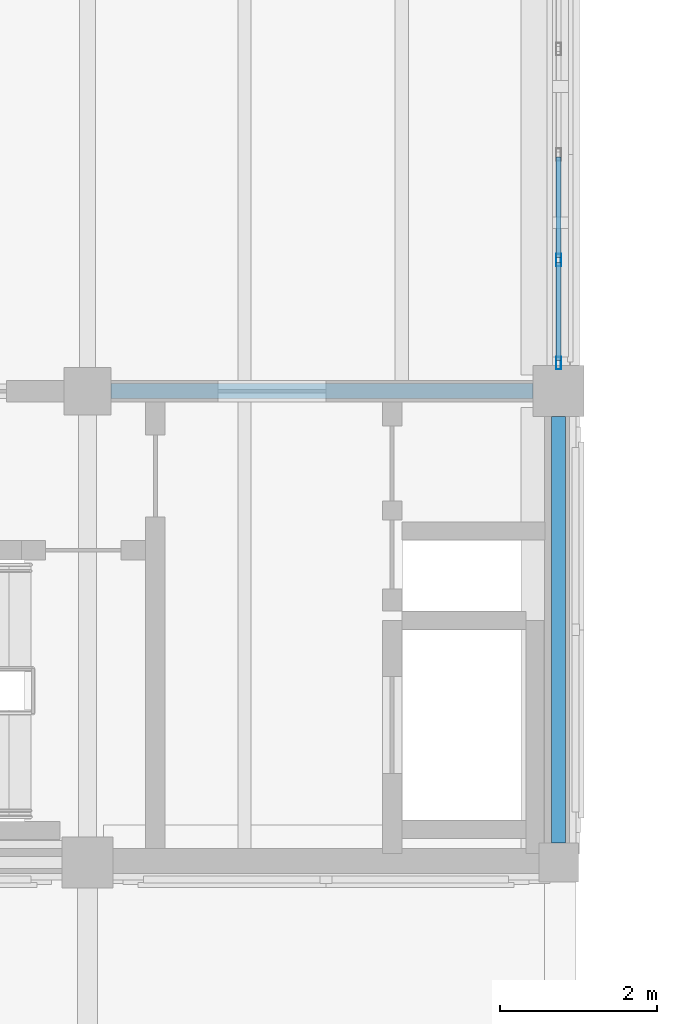
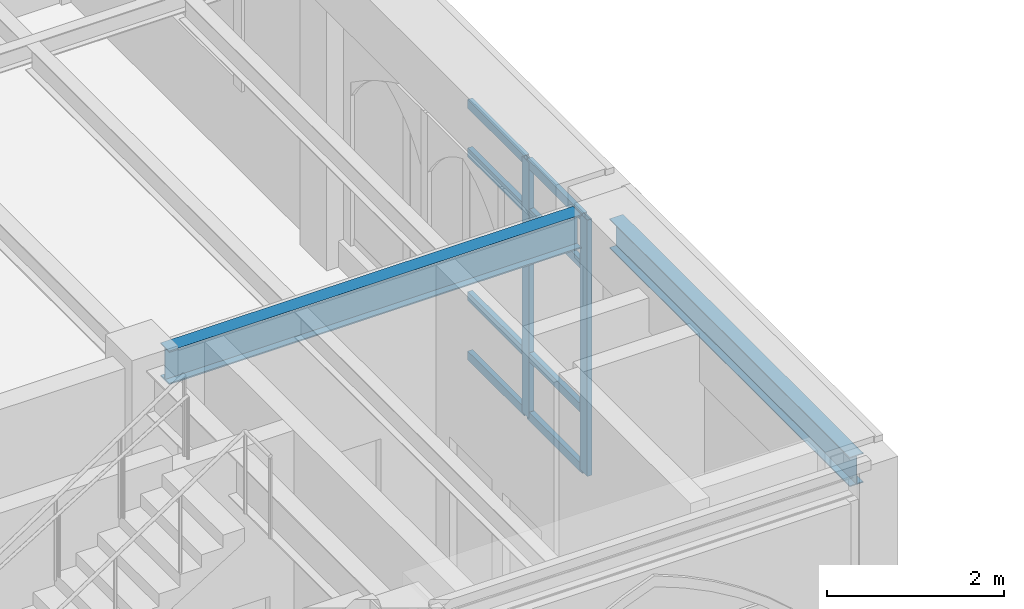
# One storey, part 8 of 143: 10 members, 2 beams, 1 element without a shape of its own.
"""IFC4 building model written with IfcOpenShell, lengths in metres."""

import ifcopenshell
import ifcopenshell.guid

model = None  # the IFC model being written
_history = None  # IfcOwnerHistory: only IFC2X3 demands one
_inside = {}  # id of a spatial element -> (the spatial element, [elements in it])
_under = {}  # id of a project, library or spatial element -> (it, [spatial elements below it])
_declared = {}  # id of a project -> (the project, [libraries it declares])
_typed = {}  # id of a type object -> (the type object, [elements of that type])
_made_of = {}  # id of a material, layer set ... -> (it, [elements and type objects made of it])


def new_model(schema):
    """Start an empty IFC model of exactly this schema.

    Asked for "IFC4X3", IfcOpenShell would pick the latest addendum, in which some entities
    have other attributes; the version numbers below select the first issue.
    IFC2X3 requires an IfcOwnerHistory on every rooted entity: one is made here for all.
    """
    global model, _history
    if schema == "IFC4X3":
        model = ifcopenshell.file(schema_version=(4, 3, 0, 0))
    else:
        model = ifcopenshell.file(schema=schema)
    _inside.clear()
    _under.clear()
    _declared.clear()
    _typed.clear()
    _made_of.clear()
    _history = None
    if model.schema == "IFC2X3":
        org = make("IfcOrganization", Name="unknown")
        user = make(
            "IfcPersonAndOrganization",
            ThePerson=make("IfcPerson", FamilyName="unknown"),
            TheOrganization=org,
        )
        app = make(
            "IfcApplication",
            ApplicationDeveloper=org,
            Version="unknown",
            ApplicationFullName="unknown",
            ApplicationIdentifier="unknown",
        )
        _history = make(
            "IfcOwnerHistory",
            OwningUser=user,
            OwningApplication=app,
            ChangeAction="ADDED",
            CreationDate=0,
        )
    return model


def make(cls, **values):
    """One entity of the class cls with the attributes given. An attribute that is None is left unset."""
    return model.create_entity(
        cls, **{name: value for name, value in values.items() if value is not None}
    )


def rooted(cls, **values):
    """An entity with a GlobalId (a new one), such as an element, a storey or a relation."""
    return make(cls, GlobalId=ifcopenshell.guid.new(), OwnerHistory=_history, **values)


def si_unit(unit_type, name, prefix=None):
    """IfcSIUnit, for example si_unit("LENGTHUNIT", "METRE", prefix="MILLI")."""
    return make("IfcSIUnit", UnitType=unit_type, Prefix=prefix, Name=name)


def assignment(units):
    """IfcUnitAssignment: the units of a project."""
    return None if units is None else make("IfcUnitAssignment", Units=units)


def point(xyz):
    """IfcCartesianPoint."""
    return None if xyz is None else make("IfcCartesianPoint", Coordinates=xyz)


def direction(xyz):
    """IfcDirection."""
    return None if xyz is None else make("IfcDirection", DirectionRatios=xyz)


def frame(location, z_axis=None, x_axis=None):
    """IfcAxis2Placement3D, a coordinate frame: its origin and axes. An axis left out is left unset."""
    return make(
        "IfcAxis2Placement3D",
        Location=point(location),
        Axis=direction(z_axis),
        RefDirection=direction(x_axis),
    )


def frame_2d(location, x_axis=None):
    """IfcAxis2Placement2D, a coordinate frame in the plane: its origin and x axis."""
    return make(
        "IfcAxis2Placement2D", Location=point(location), RefDirection=direction(x_axis)
    )


def origin():
    """The frame at (0, 0, 0) with its axes left unset."""
    return frame((0.0, 0.0, 0.0))


def origin_2d():
    """The frame at (0, 0) in the plane with its x axis left unset."""
    return frame_2d((0.0, 0.0))


def place(relative_to, where):
    """IfcLocalPlacement: puts the frame where relative to a parent placement (None: the world)."""
    return make(
        "IfcLocalPlacement", PlacementRelTo=relative_to, RelativePlacement=where
    )


def context(
    kind, dimensions, precision=None, world=None, true_north=None, identifier=None
):
    """IfcGeometricRepresentationContext, for example the 3D "Model" context."""
    return make(
        "IfcGeometricRepresentationContext",
        ContextIdentifier=identifier,
        ContextType=kind,
        CoordinateSpaceDimension=dimensions,
        Precision=precision,
        WorldCoordinateSystem=world,
        TrueNorth=true_north,
    )


def subcontext(parent, identifier, kind, view, scale=None):
    """IfcGeometricRepresentationSubContext, for example "Body" below "Model"."""
    return make(
        "IfcGeometricRepresentationSubContext",
        ContextIdentifier=identifier,
        ContextType=kind,
        ParentContext=parent,
        TargetScale=scale,
        TargetView=view,
    )


def project(units=None, contexts=None):
    """IfcProject with its units and contexts."""
    return rooted(
        "IfcProject",
        Name="project",
        RepresentationContexts=contexts,
        UnitsInContext=assignment(units),
    )


def spatial(cls, under=None, at=None, **own):
    """A site, building, storey or space (cls), placed at a placement, below another one or the project."""
    s = rooted(cls, ObjectPlacement=at, **own)
    if under is not None:
        _under.setdefault(under.id(), (under, []))[1].append(s)
    return s


def profile(cls, at=None, kind="AREA", **sizes):
    """A parametric profile (cls). Its sizes go by their IFC names, for example OverallWidth=200.0."""
    return make(cls, ProfileType=kind, Position=at, **sizes)


def hollow_rectangle(**sizes):
    """IfcRectangleHollowProfileDef."""
    return profile("IfcRectangleHollowProfileDef", **sizes)


def i_section(**sizes):
    """IfcIShapeProfileDef."""
    return profile("IfcIShapeProfileDef", **sizes)


def extrude(swept, where, along, depth):
    """IfcExtrudedAreaSolid: the profile swept, set in the frame where, extruded along a direction by depth."""
    return make(
        "IfcExtrudedAreaSolid",
        SweptArea=swept,
        Position=where,
        ExtrudedDirection=direction(along),
        Depth=depth,
    )


def shape(context_of_items, identifier, shape_type, items):
    """IfcShapeRepresentation: the items that make up one representation, for example the "Body"."""
    return make(
        "IfcShapeRepresentation",
        ContextOfItems=context_of_items,
        RepresentationIdentifier=identifier,
        RepresentationType=shape_type,
        Items=items,
    )


def material(Name=None, Category=None):
    """IfcMaterial."""
    return make("IfcMaterial", Name=Name, Category=Category)


def layer(
    of_material, thickness, ventilated=None, Name=None, Category=None, Priority=None
):
    """IfcMaterialLayer: one layer of a wall or slab, of a material (None: an air gap)."""
    return make(
        "IfcMaterialLayer",
        Material=of_material,
        LayerThickness=thickness,
        IsVentilated=ventilated,
        Name=Name,
        Category=Category,
        Priority=Priority,
    )


def layer_set(layers, Name=None):
    """IfcMaterialLayerSet."""
    return make("IfcMaterialLayerSet", MaterialLayers=layers, LayerSetName=Name)


def material_profile(
    of_material, cross_section, Name=None, Category=None, Priority=None
):
    """IfcMaterialProfile: a cross section and its material."""
    return make(
        "IfcMaterialProfile",
        Name=Name,
        Material=of_material,
        Profile=cross_section,
        Priority=Priority,
        Category=Category,
    )


def profile_set(profiles, Name=None, composite=None):
    """IfcMaterialProfileSet."""
    return make(
        "IfcMaterialProfileSet",
        Name=Name,
        MaterialProfiles=profiles,
        CompositeProfile=composite,
    )


def made_of(thing, what):
    """Note that an element or type object is made of a material, layer set ...; save() writes the relation."""
    if what is not None:
        _made_of.setdefault(what.id(), (what, []))[1].append(thing)
    return thing


def type_object(cls, material=None, **own):
    """A type object (cls), such as IfcWallType, which elements share."""
    return made_of(rooted(cls, **own), material)


def element(
    cls,
    number,
    at=None,
    inside=None,
    cuts=None,
    type_object=None,
    material=None,
    context=None,
    identifier="Body",
    shape_type=None,
    held_by="IfcProductDefinitionShape",
    body=None,
    shapes=None,
    **own,
):
    """One element of the class cls, such as IfcWall. Its Tag is "e" and its number.

    at: its placement. inside: the storey or other place that contains it. cuts: it is an
    opening in that element (IfcRelVoidsElement). A single representation is given by context,
    identifier, shape_type and body (its items); several are given by shapes. held_by: the class
    of the entity that holds the representations. save() writes the other relations.
    """
    e = rooted(cls, Tag="e%d" % number, ObjectPlacement=at, **own)
    if body is not None:
        shapes = [shape(context, identifier, shape_type, body)]
    if shapes is not None:
        e.Representation = make(held_by, Representations=shapes)
    if inside is not None:
        _inside.setdefault(inside.id(), (inside, []))[1].append(e)
    if cuts is not None:
        rooted(
            "IfcRelVoidsElement", RelatingBuildingElement=cuts, RelatedOpeningElement=e
        )
    if type_object is not None:
        _typed.setdefault(type_object.id(), (type_object, []))[1].append(e)
    return made_of(e, material)


def aggregate(whole, parts):
    """IfcRelAggregates: a whole, such as a stair, and the parts it consists of."""
    return rooted("IfcRelAggregates", RelatingObject=whole, RelatedObjects=parts)


def save(model, path):
    """Write the relations noted so far, then the file.

    IfcRelAggregates (storeys below a building ...), IfcRelContainedInSpatialStructure (elements
    in a storey), IfcRelDefinesByType, IfcRelAssociatesMaterial and IfcRelDeclares: one each for
    every whole, place, type object, material and project.
    """
    for whole, parts in _under.values():
        aggregate(whole, parts)
    for where, things in _inside.values():
        rooted(
            "IfcRelContainedInSpatialStructure",
            RelatedElements=things,
            RelatingStructure=where,
        )
    for kind, things in _typed.values():
        rooted("IfcRelDefinesByType", RelatedObjects=things, RelatingType=kind)
    for what, things in _made_of.values():
        rooted("IfcRelAssociatesMaterial", RelatedObjects=things, RelatingMaterial=what)
    for by, libraries in _declared.values():
        rooted("IfcRelDeclares", RelatingContext=by, RelatedDefinitions=libraries)
    model.write(path)


model = new_model("IFC4")

# Units and contexts
model_context = context("Model", 3, precision=1e-05, world=origin(), true_north=direction((0.0, 1.0)))
body_context = subcontext(model_context, "Body", "Model", "MODEL_VIEW")
ifc_project = project(units=[si_unit("LENGTHUNIT", "METRE"), si_unit("AREAUNIT", "SQUARE_METRE"), si_unit("VOLUMEUNIT", "CUBIC_METRE"), si_unit("PLANEANGLEUNIT", "RADIAN"), si_unit("MASSUNIT", "GRAM", prefix="KILO")], contexts=[model_context])

# Site, building, storey
site_placement = place(None, origin())
site = spatial("IfcSite", under=ifc_project, at=site_placement, CompositionType="ELEMENT")
building_placement = place(site_placement, origin())
building = spatial("IfcBuilding", under=site, at=building_placement, Name="Cumevento Cable Car Station", CompositionType="ELEMENT")
storey_placement = place(building_placement, frame((0.0, 0.0, 9.0)))
storey = spatial("IfcBuildingStorey", under=building, at=storey_placement, Name="L03", CompositionType="ELEMENT", Elevation=9.0)

# Curtain wall, members
ifc_material_1 = material(Name="Anodised Bronze Aluminium AW-6063-T6", Category="aluminium")
ifc_layer = layer(ifc_material_1, 0.23193359375)
ifc_layer_set = layer_set([ifc_layer], Name="Anodised Bronze Aluminium AW-6063-T6")
curtain_wall_type = type_object("IfcCurtainWallType", Name="Lancet Curtain Wall CW-13 1530", PredefinedType="NOTDEFINED", material=ifc_layer_set)
curtain_wall_placement = place(storey_placement, origin())
curtain_wall = element("IfcCurtainWall", 1, at=curtain_wall_placement, inside=storey, type_object=curtain_wall_type, Name="Lancet Curtain Wall CW-13 L03 #92", PredefinedType="NOTDEFINED")
ifc_material_2 = material(Name="Anodised Bronze Aluminium AW-6063-T6", Category="aluminium")
ifc_material_profile_1 = material_profile(ifc_material_2, hollow_rectangle(XDim=0.06494140625, YDim=0.159912109375, WallThickness=0.00390625, at=origin_2d()), Name="ALUM65x160x4")
ifc_profile_set_1 = profile_set([ifc_material_profile_1], Name="Anodised Bronze Aluminium AW-6063-T6")
member_type_1 = type_object("IfcMemberType", Name="Curtain Mullion CWM-01 ALUM65x160x4", PredefinedType="MULLION", material=ifc_profile_set_1)
member_1_placement = place(storey_placement, frame((22.0, 34.668701171875, 0.360107421875), z_axis=(0.0, 0.0, 1.0), x_axis=(1.0, 0.0, 0.0)))
member_1 = element("IfcMember", 2, at=member_1_placement, type_object=member_type_1, Name="CW-13 mullion 4", PredefinedType="MULLION", context=body_context, shape_type="SweptSolid", body=[
    extrude(hollow_rectangle(XDim=0.06494140625, YDim=0.159912109375, WallThickness=0.00390625, at=origin_2d()), origin(), (0.0, 0.0, 1.0), 3.532958984375),
])
member_2_placement = place(storey_placement, frame((22.0, 33.357421875, 0.360107421875), z_axis=(0.0, 0.0, 1.0), x_axis=(1.0, 0.0, 0.0)))
member_2 = element("IfcMember", 3, at=member_2_placement, type_object=member_type_1, Name="CW-13 mullion 5", PredefinedType="MULLION", context=body_context, shape_type="SweptSolid", body=[
    extrude(hollow_rectangle(XDim=0.06494140625, YDim=0.159912109375, WallThickness=0.00390625, at=origin_2d()), origin(), (0.0, 0.0, 1.0), 3.532958984375),
])
ifc_material_3 = material(Name="Anodised Bronze Aluminium AW-6063-T6", Category="aluminium")
ifc_material_profile_2 = material_profile(ifc_material_3, hollow_rectangle(XDim=0.06494140625, YDim=0.1201171875, WallThickness=0.00390625, at=origin_2d()), Name="ALUT65x120x4")
ifc_profile_set_2 = profile_set([ifc_material_profile_2], Name="Anodised Bronze Aluminium AW-6063-T6")
member_type_2 = type_object("IfcMemberType", Name="Curtain Transom CWT-01 ALUT65x120x4", PredefinedType="USERDEFINED", material=ifc_profile_set_2)
member_3_placement = place(storey_placement, frame((22.0, 35.97998046875, 0.392578125), z_axis=(0.0, -1.0, 0.0), x_axis=(1.0, 0.0, 0.0)))
member_3 = element("IfcMember", 4, at=member_3_placement, type_object=member_type_2, Name="CW-13 transom 3.1", ObjectType="TRANSOM", PredefinedType="USERDEFINED", context=body_context, shape_type="SweptSolid", body=[
    extrude(hollow_rectangle(XDim=0.06494140625, YDim=0.1201171875, WallThickness=0.00390625, at=origin_2d()), origin(), (0.0, 0.0, 1.0), 1.27880859375),
])
member_4_placement = place(storey_placement, frame((22.0, 35.97998046875, 1.2099609375), z_axis=(0.0, -1.0, 0.0), x_axis=(1.0, 0.0, 0.0)))
member_4 = element("IfcMember", 5, at=member_4_placement, type_object=member_type_2, Name="CW-13 transom 3.2", ObjectType="TRANSOM", PredefinedType="USERDEFINED", context=body_context, shape_type="SweptSolid", body=[
    extrude(hollow_rectangle(XDim=0.06494140625, YDim=0.1201171875, WallThickness=0.00390625, at=origin_2d()), origin(), (0.0, 0.0, 1.0), 1.27880859375),
])
member_5_placement = place(storey_placement, frame((22.0, 35.97998046875, 3.193115234375), z_axis=(0.0, -1.0, 0.0), x_axis=(1.0, 0.0, 0.0)))
member_5 = element("IfcMember", 6, at=member_5_placement, type_object=member_type_2, Name="CW-13 transom 3.3", ObjectType="TRANSOM", PredefinedType="USERDEFINED", context=body_context, shape_type="SweptSolid", body=[
    extrude(hollow_rectangle(XDim=0.06494140625, YDim=0.1201171875, WallThickness=0.00390625, at=origin_2d()), origin(), (0.0, 0.0, 1.0), 1.27880859375),
])
member_6_placement = place(storey_placement, frame((22.0, 35.97998046875, 3.860595703125), z_axis=(0.0, -1.0, 0.0), x_axis=(1.0, 0.0, 0.0)))
member_6 = element("IfcMember", 7, at=member_6_placement, type_object=member_type_2, Name="CW-13 transom 3.4", ObjectType="TRANSOM", PredefinedType="USERDEFINED", context=body_context, shape_type="SweptSolid", body=[
    extrude(hollow_rectangle(XDim=0.06494140625, YDim=0.1201171875, WallThickness=0.00390625, at=origin_2d()), origin(), (0.0, 0.0, 1.0), 1.27880859375),
])
member_7_placement = place(storey_placement, frame((22.0, 34.63623046875, 0.392578125), z_axis=(0.0, -1.0, 0.0), x_axis=(1.0, 0.0, 0.0)))
member_7 = element("IfcMember", 8, at=member_7_placement, type_object=member_type_2, Name="CW-13 transom 4.1", ObjectType="TRANSOM", PredefinedType="USERDEFINED", context=body_context, shape_type="SweptSolid", body=[
    extrude(hollow_rectangle(XDim=0.06494140625, YDim=0.1201171875, WallThickness=0.00390625, at=origin_2d()), origin(), (0.0, 0.0, 1.0), 1.246337890625),
])
member_8_placement = place(storey_placement, frame((22.0, 34.63623046875, 1.2099609375), z_axis=(0.0, -1.0, 0.0), x_axis=(1.0, 0.0, 0.0)))
member_8 = element("IfcMember", 9, at=member_8_placement, type_object=member_type_2, Name="CW-13 transom 4.2", ObjectType="TRANSOM", PredefinedType="USERDEFINED", context=body_context, shape_type="SweptSolid", body=[
    extrude(hollow_rectangle(XDim=0.06494140625, YDim=0.1201171875, WallThickness=0.00390625, at=origin_2d()), origin(), (0.0, 0.0, 1.0), 1.246337890625),
])
member_9_placement = place(storey_placement, frame((22.0, 34.63623046875, 3.193115234375), z_axis=(0.0, -1.0, 0.0), x_axis=(1.0, 0.0, 0.0)))
member_9 = element("IfcMember", 10, at=member_9_placement, type_object=member_type_2, Name="CW-13 transom 4.3", ObjectType="TRANSOM", PredefinedType="USERDEFINED", context=body_context, shape_type="SweptSolid", body=[
    extrude(hollow_rectangle(XDim=0.06494140625, YDim=0.1201171875, WallThickness=0.00390625, at=origin_2d()), origin(), (0.0, 0.0, 1.0), 1.246337890625),
])
member_10_placement = place(storey_placement, frame((22.0, 34.63623046875, 3.860595703125), z_axis=(0.0, -1.0, 0.0), x_axis=(1.0, 0.0, 0.0)))
member_10 = element("IfcMember", 11, at=member_10_placement, type_object=member_type_2, Name="CW-13 transom 4.4", ObjectType="TRANSOM", PredefinedType="USERDEFINED", context=body_context, shape_type="SweptSolid", body=[
    extrude(hollow_rectangle(XDim=0.06494140625, YDim=0.1201171875, WallThickness=0.00390625, at=origin_2d()), origin(), (0.0, 0.0, 1.0), 1.246337890625),
])
aggregate(curtain_wall, [member_1, member_2, member_3, member_4, member_5, member_6, member_7, member_8, member_9, member_10])

# Beams
ifc_material_4 = material(Name="Steel ASTM A572 Grade 50", Category="steel")
ifc_material_profile_3 = material_profile(ifc_material_4, i_section(OverallWidth=0.19189453125, OverallDepth=0.462890625, WebThickness=0.010498046875, FlangeThickness=0.017578125, at=origin_2d()), Name="W460x89.0")
ifc_profile_set_3 = profile_set([ifc_material_profile_3], Name="Steel ASTM A572 Grade 50")
beam_type_1 = type_object("IfcBeamType", Name="Structural Beam BM-10 W460x89.0", PredefinedType="BEAM", material=ifc_profile_set_3)
beam_1_placement = place(storey_placement, frame((16.300048828125, 33.0, 4.068603515625), z_axis=(1.0, 0.0, 0.0), x_axis=(0.0, 1.0, 0.0)))
element("IfcBeam", 12, at=beam_1_placement, inside=storey, type_object=beam_type_1, Name="Beam BM-10 L03 #1007", PredefinedType="BEAM", context=body_context, shape_type="SweptSolid", body=[
    extrude(i_section(OverallWidth=0.19189453125, OverallDepth=0.462890625, WebThickness=0.010498046875, FlangeThickness=0.017578125, at=origin_2d()), origin(), (0.0, 0.0, 1.0), 5.375),
])
ifc_material_5 = material(Name="Steel ASTM A572 Grade 50", Category="steel")
ifc_material_profile_4 = material_profile(ifc_material_5, i_section(OverallWidth=0.177978515625, OverallDepth=0.406982421875, WebThickness=0.0078125, FlangeThickness=0.0126953125, at=origin_2d()), Name="W410x60.0")
ifc_profile_set_4 = profile_set([ifc_material_profile_4], Name="Steel ASTM A572 Grade 50")
beam_type_2 = type_object("IfcBeamType", Name="Structural Spandrel SP-01 W410x60.0", PredefinedType="SPANDREL", material=ifc_profile_set_4)
beam_2_placement = place(storey_placement, frame((22.0, 27.25, 4.096435546875), z_axis=(0.0, 1.0, 0.0), x_axis=(-1.0, 0.0, 0.0)))
element("IfcBeam", 13, at=beam_2_placement, inside=storey, type_object=beam_type_2, Name="Beam SP-01 L03 #1010", PredefinedType="SPANDREL", context=body_context, shape_type="SweptSolid", body=[
    extrude(i_section(OverallWidth=0.177978515625, OverallDepth=0.406982421875, WebThickness=0.0078125, FlangeThickness=0.0126953125, at=origin_2d()), origin(), (0.0, 0.0, 1.0), 5.425048828125),
])

save(model, "model.ifc")
